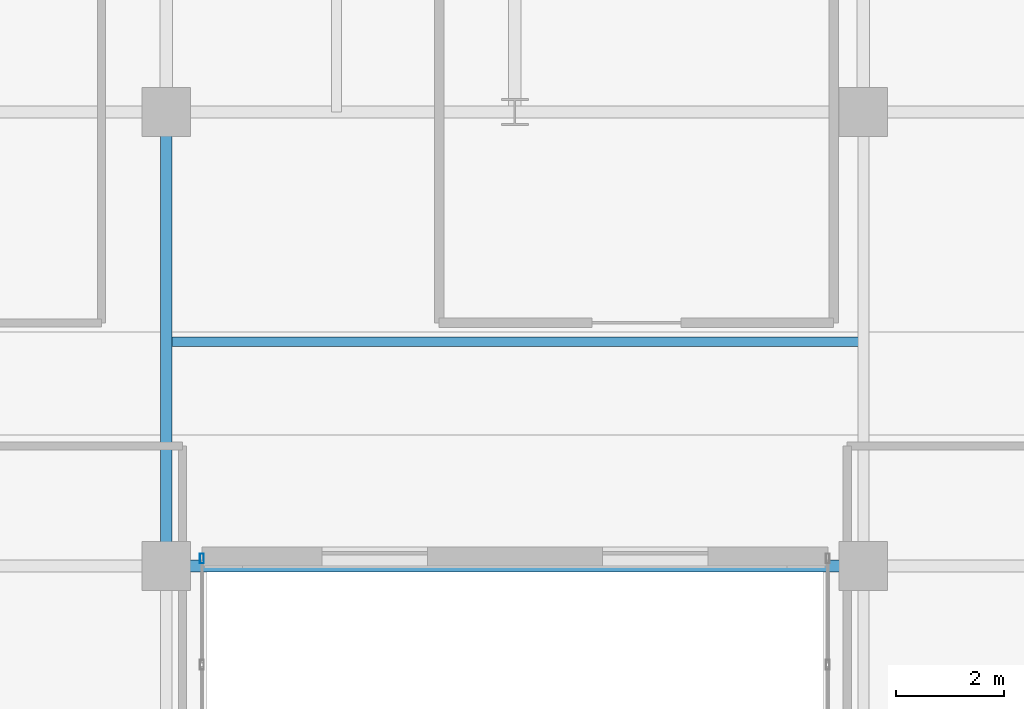
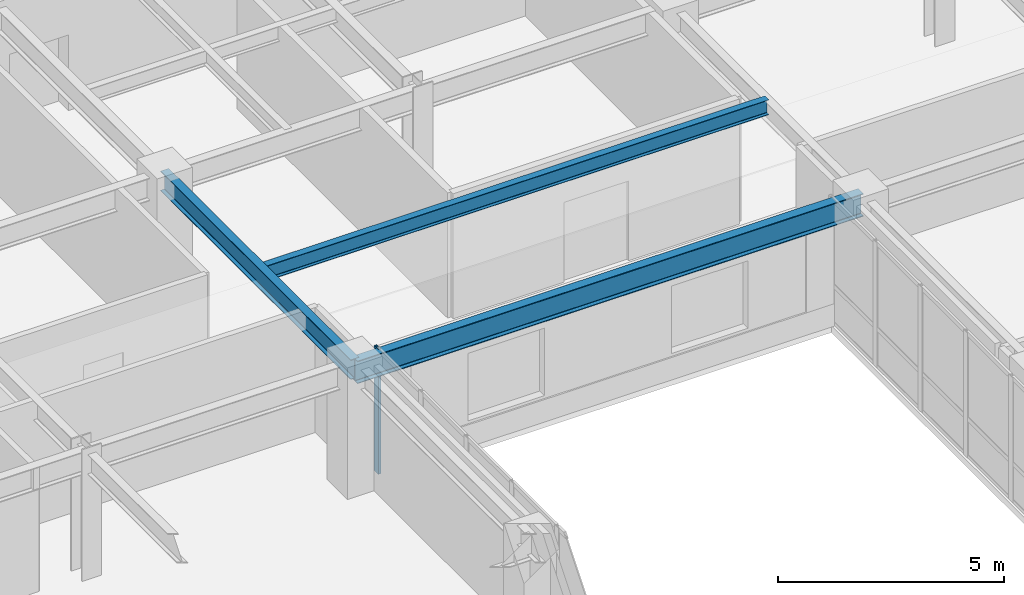
# One storey, part 5 of 24: 3 beams, 1 member, 1 element without a shape of its own.
"""IFC4 building model written with IfcOpenShell, lengths in metres."""

from ifc_helpers import new_model, si_unit, direction, frame, origin, origin_2d, place, context, subcontext, project, spatial, hollow_rectangle, i_section, extrude, source, transform, mapped, material, layer, layer_set, material_profile, profile_set, type_object, type_shapes, element, aggregate, save


model = new_model("IFC4")

# Units and contexts
model_context = context("Model", 3, precision=1e-05, world=origin(), true_north=direction((0.0, 1.0)))
body_context = subcontext(model_context, "Body", "Model", "MODEL_VIEW")
ifc_project = project(units=[si_unit("LENGTHUNIT", "METRE"), si_unit("AREAUNIT", "SQUARE_METRE"), si_unit("VOLUMEUNIT", "CUBIC_METRE"), si_unit("PLANEANGLEUNIT", "RADIAN"), si_unit("MASSUNIT", "GRAM", prefix="KILO")], contexts=[model_context])

# Site, building, storey
site_placement = place(None, origin())
site = spatial("IfcSite", under=ifc_project, at=site_placement, CompositionType="ELEMENT")
building_placement = place(site_placement, origin())
building = spatial("IfcBuilding", under=site, at=building_placement, Name="Tolvann Quenvar Hotel", CompositionType="ELEMENT")
storey_placement = place(building_placement, frame((0.0, 0.0, 88.800048828125)))
storey = spatial("IfcBuildingStorey", under=building, at=storey_placement, Name="L22", CompositionType="ELEMENT", Elevation=88.800048828125)

# Beams
ifc_material_1 = material(Name="Steel Grade 350", Category="steel")
ifc_material_profile_1 = material_profile(ifc_material_1, i_section(OverallWidth=0.22900390625, OverallDepth=0.612060546875, WebThickness=0.011962890625, FlangeThickness=0.01953125, FilletRadius=0.013916015625, at=origin_2d()), Name="610UB125")
ifc_profile_set_1 = profile_set([ifc_material_profile_1], Name="Steel Grade 350")
beam_type_1 = type_object("IfcBeamType", Name="BM_GIRD_610UB125", PredefinedType="BEAM", material=ifc_profile_set_1)
shared_shape_1 = source(origin(), body_context, "Body", "SweptSolid", [
    extrude(i_section(OverallWidth=0.22900390625, OverallDepth=0.612060546875, WebThickness=0.011962890625, FlangeThickness=0.01953125, FilletRadius=0.013916015625, at=origin_2d()), origin(), (0.0, 0.0, 1.0), 12.89990234375),
])
type_shapes(beam_type_1, [shared_shape_1])
beam_1_placement = place(storey_placement, frame((22.050048828125, 16.0, 3.06396484375), z_axis=(1.0, 0.0, 0.0), x_axis=(0.0, 1.0, 0.0)))
element("IfcBeam", 1, at=beam_1_placement, inside=storey, type_object=beam_type_1, Name="BM-L22-EW-4-E4-F4", PredefinedType="BEAM", context=body_context, shape_type="MappedRepresentation", body=[
    mapped(shared_shape_1, transform((0.0, 0.0, 0.0), x_axis=(1.0, 0.0, 0.0), y_axis=(0.0, 1.0, 0.0), z_axis=(0.0, 0.0, 1.0), scale=1.0)),
])
ifc_material_profile_2 = material_profile(ifc_material_1, i_section(OverallWidth=0.208984375, OverallDepth=0.532958984375, WebThickness=0.01025390625, FlangeThickness=0.015625, FilletRadius=0.013916015625, at=origin_2d()), Name="530UB92")
ifc_profile_set_2 = profile_set([ifc_material_profile_2], Name="Steel Grade 350")
beam_type_2 = type_object("IfcBeamType", Name="BM_GIRD_530UB92", PredefinedType="BEAM", material=ifc_profile_set_2)
shared_shape_2 = source(origin(), body_context, "Body", "SweptSolid", [
    extrude(i_section(OverallWidth=0.208984375, OverallDepth=0.532958984375, WebThickness=0.01025390625, FlangeThickness=0.015625, FilletRadius=0.013916015625, at=origin_2d()), origin(), (0.0, 0.0, 1.0), 8.39990234375),
])
type_shapes(beam_type_2, [shared_shape_2])
beam_2_placement = place(storey_placement, frame((22.050048828125, 16.0, 3.103515625), z_axis=(0.0, 1.0, 0.0), x_axis=(-1.0, 0.0, 0.0)))
element("IfcBeam", 2, at=beam_2_placement, inside=storey, type_object=beam_type_2, Name="BM-L22-NS-E4-E5", PredefinedType="BEAM", context=body_context, shape_type="MappedRepresentation", body=[
    mapped(shared_shape_2, transform((0.0, 0.0, 0.0), x_axis=(1.0, 0.0, 0.0), y_axis=(0.0, 1.0, 0.0), z_axis=(0.0, 0.0, 1.0), scale=1.0)),
])
ifc_material_profile_3 = material_profile(ifc_material_1, i_section(OverallWidth=0.177978515625, OverallDepth=0.406005859375, WebThickness=0.0078125, FlangeThickness=0.0126953125, FilletRadius=0.011474609375, at=origin_2d()), Name="410UB60")
ifc_profile_set_3 = profile_set([ifc_material_profile_3], Name="Steel Grade 350")
beam_type_3 = type_object("IfcBeamType", Name="BM_JOIST_410UB60", PredefinedType="JOIST", material=ifc_profile_set_3)
shared_shape_3 = source(origin(), body_context, "Body", "SweptSolid", [
    extrude(i_section(OverallWidth=0.177978515625, OverallDepth=0.406005859375, WebThickness=0.0078125, FlangeThickness=0.0126953125, FilletRadius=0.011474609375, at=origin_2d()), origin(), (0.0, 0.0, 1.0), 12.89990234375),
])
type_shapes(beam_type_3, [shared_shape_3])
beam_3_placement = place(storey_placement, frame((22.050048828125, 20.14990234375, 3.1669921875), z_axis=(1.0, 0.0, 0.0), x_axis=(0.0, 1.0, 0.0)))
element("IfcBeam", 3, at=beam_3_placement, inside=storey, type_object=beam_type_3, Name="BM-L22-SPINE-20", PredefinedType="JOIST", context=body_context, shape_type="MappedRepresentation", body=[
    mapped(shared_shape_3, transform((0.0, 0.0, 0.0), x_axis=(1.0, 0.0, 0.0), y_axis=(0.0, 1.0, 0.0), z_axis=(0.0, 0.0, 1.0), scale=1.0)),
])

# Curtain wall, member
ifc_material_2 = material(Name="Thermally broken anodised architectural aluminium 6063-T6 and laminated low-E glass", Category="aluminium")
ifc_layer = layer(ifc_material_2, 0.179931640625)
ifc_layer_set = layer_set([ifc_layer], Name="Thermally broken anodised architectural aluminium 6063-T6 and laminated low-E glass")
curtain_wall_type = type_object("IfcCurtainWallType", Name="CW_SYS_SLOT_03", PredefinedType="USERDEFINED", material=ifc_layer_set)
curtain_wall_placement = place(storey_placement, origin())
curtain_wall = element("IfcCurtainWall", 4, at=curtain_wall_placement, inside=storey, type_object=curtain_wall_type, Name="Curtain Wall CW-SLOT-03 (CWR-L22-E05)", ObjectType="UNITISED CURTAIN WALL", PredefinedType="USERDEFINED")
ifc_material_3 = material(Name="Anodised architectural aluminium 6063-T6 framing", Category="aluminium")
ifc_material_profile_4 = material_profile(ifc_material_3, hollow_rectangle(XDim=0.070068359375, YDim=0.179931640625, WallThickness=0.00390625, at=origin_2d()), Name="180x70x4RHS")
ifc_profile_set_4 = profile_set([ifc_material_profile_4], Name="Anodised architectural aluminium 6063-T6 framing")
member_type = type_object("IfcMemberType", Name="CW_MULL_180x70", PredefinedType="MULLION", material=ifc_profile_set_4)
shared_shape_4 = source(origin(), body_context, "Body", "SweptSolid", [
    extrude(hollow_rectangle(XDim=0.070068359375, YDim=0.179931640625, WallThickness=0.00390625, at=origin_2d()), origin(), (0.0, 0.0, 1.0), 3.369873046875),
])
type_shapes(member_type, [shared_shape_4])
member_placement = place(storey_placement, frame((22.7099609375, 16.139892578125, 0.0), z_axis=(0.0, 0.0, 1.0), x_axis=(-1.0, 0.0, 0.0)))
member = element("IfcMember", 5, at=member_placement, type_object=member_type, Name="CW-SLOT-03 mullion 9", PredefinedType="MULLION", context=body_context, shape_type="MappedRepresentation", body=[
    mapped(shared_shape_4, transform((0.0, 0.0, 0.0), x_axis=(1.0, 0.0, 0.0), y_axis=(0.0, 1.0, 0.0), z_axis=(0.0, 0.0, 1.0), scale=1.0)),
])
aggregate(curtain_wall, [member])

save(model, "model.ifc")
